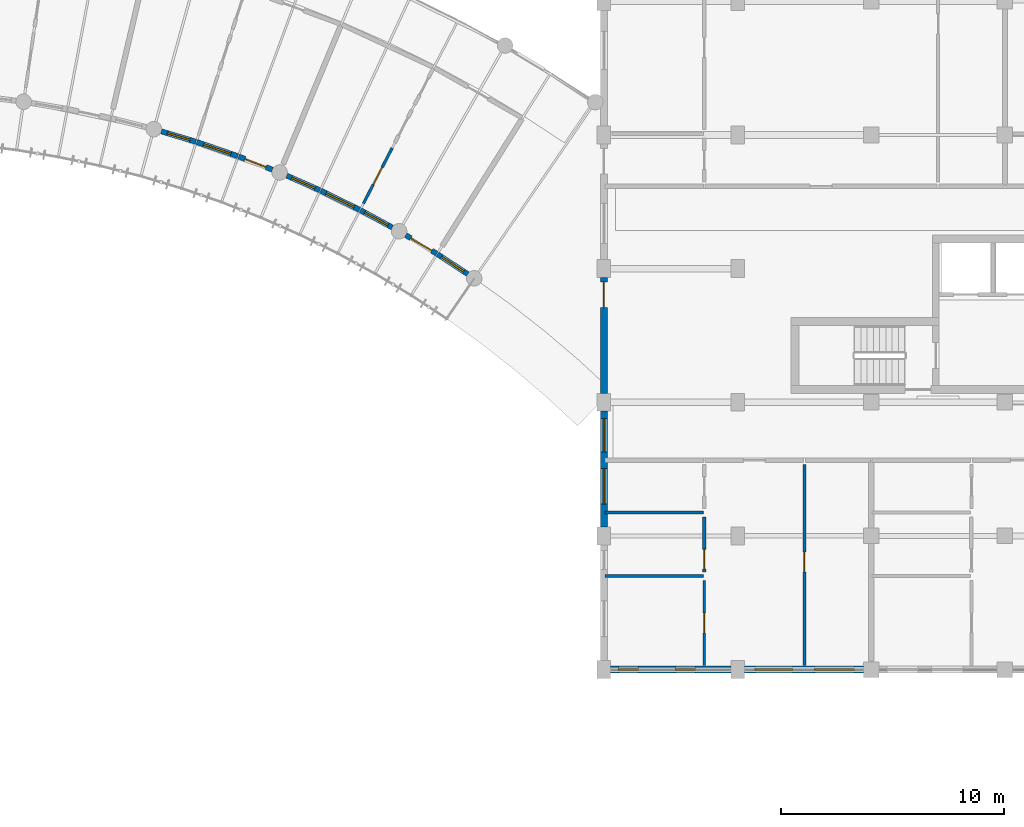
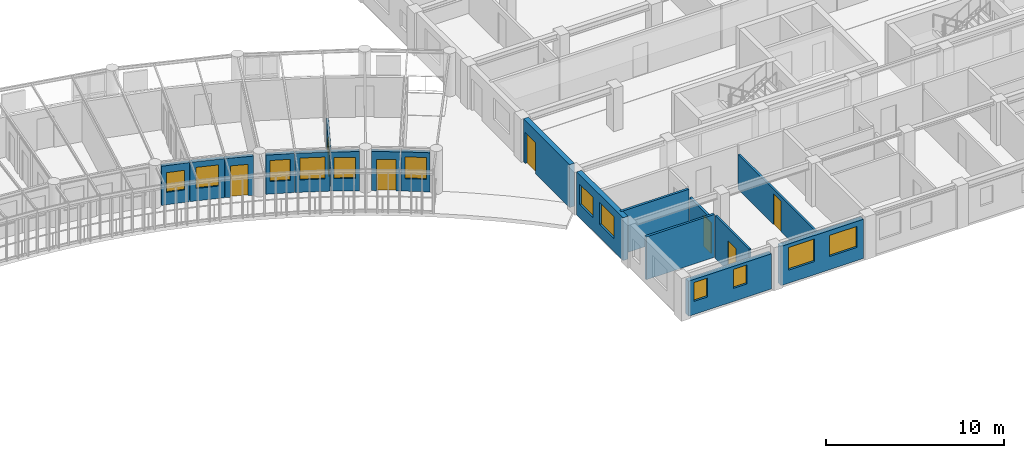
# One storey, part 110 of 137: 18 walls, 12 windows, 7 doors, 19 openings.
"""IFC4 building model written with IfcOpenShell, lengths in metres."""

from ifc_helpers import new_model, si_unit, direction, frame, frame_2d, origin, place, context, subcontext, project, spatial, rectangle, extrude, material, layer, layer_set, type_object, element, fill, save


model = new_model("IFC4")

# Units and contexts
model_context = context("Model", 3, precision=1e-05, world=origin(), true_north=direction((0.0, 1.0)))
body_context = subcontext(model_context, "Body", "Model", "MODEL_VIEW")
ifc_project = project(units=[si_unit("LENGTHUNIT", "METRE"), si_unit("AREAUNIT", "SQUARE_METRE"), si_unit("VOLUMEUNIT", "CUBIC_METRE"), si_unit("PLANEANGLEUNIT", "RADIAN"), si_unit("MASSUNIT", "GRAM", prefix="KILO"), si_unit("POWERUNIT", "WATT"), si_unit("THERMODYNAMICTEMPERATUREUNIT", "KELVIN")], contexts=[model_context])

# Site, building, storey
site_placement = place(None, origin())
site = spatial("IfcSite", under=ifc_project, at=site_placement, CompositionType="ELEMENT")
building_placement = place(site_placement, origin())
building = spatial("IfcBuilding", under=site, at=building_placement, Name="Ruvembo Vaulted Housing Court", CompositionType="ELEMENT")
storey_placement = place(building_placement, frame((0.0, 0.0, 4.5)))
storey = spatial("IfcBuildingStorey", under=building, at=storey_placement, Name="L01", CompositionType="ELEMENT", Elevation=4.5)

# Wall, opening, window
ifc_material_1 = material(Name="Rendered Masonry 235", Category="masonry")
ifc_layer_1 = layer(ifc_material_1, 0.235107421875, Name="Rendered Masonry 235")
ifc_layer_set_1 = layer_set([ifc_layer_1], Name="Rendered Masonry 235")
wall_type_1 = type_object("IfcWallType", Name="WL-EXT-235", PredefinedType="STANDARD", material=ifc_layer_set_1)
wall_1_placement = place(storey_placement, frame((130.1298828125, 96.1630859375, 0.0), z_axis=(0.0, 0.0, 1.0), x_axis=(0.958078548486, -0.286505662999, 0.0)))
wall_1 = element("IfcWall", 1, at=wall_1_placement, inside=storey, type_object=wall_type_1, Name="Scoop SC3 L01 Concave Balcony Wall 21", PredefinedType="STANDARD", context=body_context, shape_type="SweptSolid", body=[
    extrude(rectangle(XDim=1.62255859375, YDim=0.235107421875, at=frame_2d((0.811279296875, 0.0))), origin(), (0.0, 0.0, 1.0), 2.68408203125),
])
opening_1_placement = place(wall_1_placement, frame((0.2861328125, 0.0, 0.85009765625)))
opening_1 = element("IfcOpeningElement", 2, at=opening_1_placement, cuts=wall_1, Name="Opening W09", PredefinedType="OPENING", context=body_context, shape_type="SweptSolid", body=[
    extrude(rectangle(XDim=1.050048828125, YDim=1.35009765625, at=frame_2d((0.52490234375, 0.675048828125))), frame((0.0, 0.12744140625, 0.0), z_axis=(0.0, -1.0, 0.0), x_axis=(1.0, 0.0, 0.0)), (0.0, 0.0, 1.0), 0.255126953125),
])
ifc_material_2 = material(Name="Double Solar-Control Glazing in Aluminium Frame", Category="aluminium")
window_type_1 = type_object("IfcWindowType", Name="WIN-1050x1350", PartitioningType="SINGLE_PANEL", PredefinedType="WINDOW", material=ifc_material_2)
window_1_placement = place(opening_1_placement, origin())
window_1 = element("IfcWindow", 3, at=window_1_placement, inside=storey, type_object=window_type_1, Name="Scoop SC3 L01 Concave Window 21", OverallHeight=1.35009765625, OverallWidth=1.050048828125, PartitioningType="SINGLE_PANEL", PredefinedType="WINDOW", context=body_context, shape_type="SweptSolid", body=[
    extrude(rectangle(XDim=1.050048828125, YDim=1.35009765625, at=frame_2d((0.52490234375, 0.675048828125))), frame((0.0, 0.030029296875, 0.0), z_axis=(0.0, -1.0, 0.0), x_axis=(1.0, 0.0, 0.0)), (0.0, 0.0, 1.0), 0.06005859375),
])
fill(opening_1, window_1)

wall_2_placement = place(storey_placement, frame((131.722412109375, 95.68603515625, 0.0), z_axis=(0.0, 0.0, 1.0), x_axis=(0.945368994877, -0.326002244662, 0.0)))
wall_2 = element("IfcWall", 4, at=wall_2_placement, inside=storey, type_object=wall_type_1, Name="Scoop SC3 L01 Concave Balcony Wall 22", PredefinedType="STANDARD", context=body_context, shape_type="SweptSolid", body=[
    extrude(rectangle(XDim=1.952392578125, YDim=0.235107421875, at=frame_2d((0.97607421875, 0.0))), origin(), (0.0, 0.0, 1.0), 2.68408203125),
])
opening_2_placement = place(wall_2_placement, frame((0.326171875, 0.0, 0.85009765625)))
opening_2 = element("IfcOpeningElement", 5, at=opening_2_placement, cuts=wall_2, Name="Opening W15", PredefinedType="OPENING", context=body_context, shape_type="SweptSolid", body=[
    extrude(rectangle(XDim=1.300048828125, YDim=1.449951171875, at=frame_2d((0.64990234375, 0.72509765625))), frame((0.0, 0.12744140625, 0.0), z_axis=(0.0, -1.0, 0.0), x_axis=(1.0, 0.0, 0.0)), (0.0, 0.0, 1.0), 0.255126953125),
])
window_type_2 = type_object("IfcWindowType", Name="WIN-1300x1450", PartitioningType="SINGLE_PANEL", PredefinedType="WINDOW", material=ifc_material_2)
window_2_placement = place(opening_2_placement, origin())
window_2 = element("IfcWindow", 6, at=window_2_placement, inside=storey, type_object=window_type_2, Name="Scoop SC3 L01 Concave Window 22", OverallHeight=1.449951171875, OverallWidth=1.300048828125, PartitioningType="SINGLE_PANEL", PredefinedType="WINDOW", context=body_context, shape_type="SweptSolid", body=[
    extrude(rectangle(XDim=1.300048828125, YDim=1.449951171875, at=frame_2d((0.64990234375, 0.72509765625))), frame((0.0, 0.030029296875, 0.0), z_axis=(0.0, -1.0, 0.0), x_axis=(1.0, 0.0, 0.0)), (0.0, 0.0, 1.0), 0.06005859375),
])
fill(opening_2, window_2)

# Wall, opening, door
wall_3_placement = place(storey_placement, frame((133.605712890625, 95.03564453125, 0.0), z_axis=(0.0, 0.0, 1.0), x_axis=(0.931038371221, -0.364921294684, 0.0)))
wall_3 = element("IfcWall", 7, at=wall_3_placement, inside=storey, type_object=wall_type_1, Name="Scoop SC3 L01 Concave Balcony Wall 23", PredefinedType="STANDARD", context=body_context, shape_type="SweptSolid", body=[
    extrude(rectangle(XDim=1.622314453125, YDim=0.235107421875, at=frame_2d((0.81103515625, 0.0))), origin(), (0.0, 0.0, 1.0), 2.68408203125),
])
opening_3_placement = place(wall_3_placement, frame((0.311279296875, 0.0, 0.0)))
opening_3 = element("IfcOpeningElement", 8, at=opening_3_placement, cuts=wall_3, Name="Opening BD1", PredefinedType="OPENING", context=body_context, shape_type="SweptSolid", body=[
    extrude(rectangle(XDim=1.0, YDim=2.14990234375, at=frame_2d((0.5, 1.074951171875))), frame((0.0, 0.12744140625, 0.0), z_axis=(0.0, -1.0, 0.0), x_axis=(1.0, 0.0, 0.0)), (0.0, 0.0, 1.0), 0.255126953125),
])
ifc_material_3 = material(Name="Thermally Broken Glazed Aluminium", Category="aluminium")
door_type_1 = type_object("IfcDoorType", Name="DR-BAL-1000x2150", OperationType="NOTDEFINED", PredefinedType="DOOR", material=ifc_material_3)
door_1_placement = place(opening_3_placement, frame((1.0, 0.0, 0.0), z_axis=(0.0, 0.0, 1.0), x_axis=(-1.0, 0.0, 0.0)))
door_1 = element("IfcDoor", 9, at=door_1_placement, inside=storey, type_object=door_type_1, Name="Scoop SC3 L01 Balcony Door 23", OperationType="SINGLE_SWING_RIGHT", OverallHeight=2.14990234375, OverallWidth=1.0, PredefinedType="DOOR", context=body_context, shape_type="SweptSolid", body=[
    extrude(rectangle(XDim=1.0, YDim=2.14990234375, at=frame_2d((0.5, 1.074951171875))), frame((0.0, 0.02490234375, 0.0), z_axis=(0.0, -1.0, 0.0), x_axis=(1.0, 0.0, 0.0)), (0.0, 0.0, 1.0), 0.050048828125),
])
fill(opening_3, door_1)

# Wall, opening, window
wall_4_placement = place(storey_placement, frame((135.76220703125, 94.1748046875, 0.0), z_axis=(0.0, 0.0, 1.0), x_axis=(0.915073009016, -0.403288219727, 0.0)))
wall_4 = element("IfcWall", 10, at=wall_4_placement, inside=storey, type_object=wall_type_1, Name="Scoop SC3 L01 Concave Balcony Wall 24", PredefinedType="STANDARD", context=body_context, shape_type="SweptSolid", body=[
    extrude(rectangle(XDim=1.622314453125, YDim=0.235107421875, at=frame_2d((0.81103515625, 0.0))), origin(), (0.0, 0.0, 1.0), 2.68408203125),
])
opening_4_placement = place(wall_4_placement, frame((0.236083984375, 0.0, 0.85009765625)))
opening_4 = element("IfcOpeningElement", 11, at=opening_4_placement, cuts=wall_4, Name="Opening W11", PredefinedType="OPENING", context=body_context, shape_type="SweptSolid", body=[
    extrude(rectangle(XDim=1.14990234375, YDim=1.449951171875, at=frame_2d((0.574951171875, 0.72509765625))), frame((0.0, 0.12744140625, 0.0), z_axis=(0.0, -1.0, 0.0), x_axis=(1.0, 0.0, 0.0)), (0.0, 0.0, 1.0), 0.255126953125),
])
window_type_3 = type_object("IfcWindowType", Name="WIN-1150x1450", PartitioningType="SINGLE_PANEL", PredefinedType="WINDOW", material=ifc_material_2)
window_3_placement = place(opening_4_placement, origin())
window_3 = element("IfcWindow", 12, at=window_3_placement, inside=storey, type_object=window_type_3, Name="Scoop SC3 L01 Concave Window 24", OverallHeight=1.449951171875, OverallWidth=1.14990234375, PartitioningType="SINGLE_PANEL", PredefinedType="WINDOW", context=body_context, shape_type="SweptSolid", body=[
    extrude(rectangle(XDim=1.14990234375, YDim=1.449951171875, at=frame_2d((0.574951171875, 0.72509765625))), frame((0.0, 0.030029296875, 0.0), z_axis=(0.0, -1.0, 0.0), x_axis=(1.0, 0.0, 0.0)), (0.0, 0.0, 1.0), 0.06005859375),
])
fill(opening_4, window_3)

wall_5_placement = place(storey_placement, frame((137.283203125, 93.50341796875, 0.0), z_axis=(0.0, 0.0, 1.0), x_axis=(0.897531751182, -0.44094983345, 0.0)))
wall_5 = element("IfcWall", 13, at=wall_5_placement, inside=storey, type_object=wall_type_1, Name="Scoop SC3 L01 Concave Balcony Wall 25", PredefinedType="STANDARD", context=body_context, shape_type="SweptSolid", body=[
    extrude(rectangle(XDim=1.9521484375, YDim=0.235107421875, at=frame_2d((0.97607421875, 0.0))), origin(), (0.0, 0.0, 1.0), 2.68408203125),
])
opening_5_placement = place(wall_5_placement, frame((0.276123046875, 0.0, 0.85009765625)))
opening_5 = element("IfcOpeningElement", 14, at=opening_5_placement, cuts=wall_5, Name="Opening W17", PredefinedType="OPENING", context=body_context, shape_type="SweptSolid", body=[
    extrude(rectangle(XDim=1.39990234375, YDim=1.5, at=frame_2d((0.699951171875, 0.75))), frame((0.0, 0.12744140625, 0.0), z_axis=(0.0, -1.0, 0.0), x_axis=(1.0, 0.0, 0.0)), (0.0, 0.0, 1.0), 0.255126953125),
])
window_type_4 = type_object("IfcWindowType", Name="WIN-1400x1500", PartitioningType="SINGLE_PANEL", PredefinedType="WINDOW", material=ifc_material_2)
window_4_placement = place(opening_5_placement, origin())
window_4 = element("IfcWindow", 15, at=window_4_placement, inside=storey, type_object=window_type_4, Name="Scoop SC3 L01 Concave Window 25", OverallHeight=1.5, OverallWidth=1.39990234375, PartitioningType="SINGLE_PANEL", PredefinedType="WINDOW", context=body_context, shape_type="SweptSolid", body=[
    extrude(rectangle(XDim=1.39990234375, YDim=1.5, at=frame_2d((0.699951171875, 0.75))), frame((0.0, 0.030029296875, 0.0), z_axis=(0.0, -1.0, 0.0), x_axis=(1.0, 0.0, 0.0)), (0.0, 0.0, 1.0), 0.06005859375),
])
fill(opening_5, window_4)

wall_6_placement = place(storey_placement, frame((139.071044921875, 92.624267578125, 0.0), z_axis=(0.0, 0.0, 1.0), x_axis=(0.878452871629, -0.477828999044, 0.0)))
wall_6 = element("IfcWall", 16, at=wall_6_placement, inside=storey, type_object=wall_type_1, Name="Scoop SC3 L01 Concave Balcony Wall 26", PredefinedType="STANDARD", context=body_context, shape_type="SweptSolid", body=[
    extrude(rectangle(XDim=1.622314453125, YDim=0.235107421875, at=frame_2d((0.81103515625, 0.0))), origin(), (0.0, 0.0, 1.0), 2.68408203125),
])
opening_6_placement = place(wall_6_placement, frame((0.211181640625, 0.0, 0.85009765625)))
opening_6 = element("IfcOpeningElement", 17, at=opening_6_placement, cuts=wall_6, Name="Opening W13", PredefinedType="OPENING", context=body_context, shape_type="SweptSolid", body=[
    extrude(rectangle(XDim=1.199951171875, YDim=1.449951171875, at=frame_2d((0.60009765625, 0.72509765625))), frame((0.0, 0.12744140625, 0.0), z_axis=(0.0, -1.0, 0.0), x_axis=(1.0, 0.0, 0.0)), (0.0, 0.0, 1.0), 0.255126953125),
])
window_type_5 = type_object("IfcWindowType", Name="WIN-1200x1450", PartitioningType="SINGLE_PANEL", PredefinedType="WINDOW", material=ifc_material_2)
window_5_placement = place(opening_6_placement, origin())
window_5 = element("IfcWindow", 18, at=window_5_placement, inside=storey, type_object=window_type_5, Name="Scoop SC3 L01 Concave Window 26", OverallHeight=1.449951171875, OverallWidth=1.199951171875, PartitioningType="SINGLE_PANEL", PredefinedType="WINDOW", context=body_context, shape_type="SweptSolid", body=[
    extrude(rectangle(XDim=1.199951171875, YDim=1.449951171875, at=frame_2d((0.60009765625, 0.72509765625))), frame((0.0, 0.030029296875, 0.0), z_axis=(0.0, -1.0, 0.0), x_axis=(1.0, 0.0, 0.0)), (0.0, 0.0, 1.0), 0.06005859375),
])
fill(opening_6, window_5)

# Wall, opening, door
wall_7_placement = place(storey_placement, frame((141.10400390625, 91.502197265625, 0.0), z_axis=(0.0, 0.0, 1.0), x_axis=(0.85782472272, -0.513942355805, 0.0)))
wall_7 = element("IfcWall", 19, at=wall_7_placement, inside=storey, type_object=wall_type_1, Name="Scoop SC3 L01 Concave Balcony Wall 27", PredefinedType="STANDARD", context=body_context, shape_type="SweptSolid", body=[
    extrude(rectangle(XDim=1.622314453125, YDim=0.235107421875, at=frame_2d((0.81103515625, 0.0))), origin(), (0.0, 0.0, 1.0), 2.68408203125),
])
opening_7_placement = place(wall_7_placement, frame((0.26123046875, 0.0, 0.0)))
opening_7 = element("IfcOpeningElement", 20, at=opening_7_placement, cuts=wall_7, Name="Opening BD3", PredefinedType="OPENING", context=body_context, shape_type="SweptSolid", body=[
    extrude(rectangle(XDim=1.10009765625, YDim=2.14990234375, at=frame_2d((0.550048828125, 1.074951171875))), frame((0.0, 0.12744140625, 0.0), z_axis=(0.0, -1.0, 0.0), x_axis=(1.0, 0.0, 0.0)), (0.0, 0.0, 1.0), 0.255126953125),
])
door_type_2 = type_object("IfcDoorType", Name="DR-BAL-1100x2150", OperationType="NOTDEFINED", PredefinedType="DOOR", material=ifc_material_3)
door_2_placement = place(opening_7_placement, frame((1.10009765625, 0.0, 0.0), z_axis=(0.0, 0.0, 1.0), x_axis=(-1.0, 0.0, 0.0)))
door_2 = element("IfcDoor", 21, at=door_2_placement, inside=storey, type_object=door_type_2, Name="Scoop SC3 L01 Balcony Door 27", OperationType="SINGLE_SWING_LEFT", OverallHeight=2.14990234375, OverallWidth=1.10009765625, PredefinedType="DOOR", context=body_context, shape_type="SweptSolid", body=[
    extrude(rectangle(XDim=1.10009765625, YDim=2.14990234375, at=frame_2d((0.550048828125, 1.074951171875))), frame((0.0, 0.02490234375, 0.0), z_axis=(0.0, -1.0, 0.0), x_axis=(1.0, 0.0, 0.0)), (0.0, 0.0, 1.0), 0.050048828125),
])
fill(opening_7, door_2)

# Wall, opening, window
wall_8_placement = place(storey_placement, frame((142.529541015625, 90.647216796875, 0.0), z_axis=(0.0, 0.0, 1.0), x_axis=(0.835873156341, -0.548922641644, 0.0)))
wall_8 = element("IfcWall", 22, at=wall_8_placement, inside=storey, type_object=wall_type_1, Name="Scoop SC3 L01 Concave Balcony Wall 28", PredefinedType="STANDARD", context=body_context, shape_type="SweptSolid", body=[
    extrude(rectangle(XDim=1.62255859375, YDim=0.235107421875, at=frame_2d((0.811279296875, 0.0))), origin(), (0.0, 0.0, 1.0), 2.68408203125),
])
opening_8_placement = place(wall_8_placement, frame((0.211181640625, 0.0, 0.85009765625)))
opening_8 = element("IfcOpeningElement", 23, at=opening_8_placement, cuts=wall_8, Name="Opening W14", PredefinedType="OPENING", context=body_context, shape_type="SweptSolid", body=[
    extrude(rectangle(XDim=1.199951171875, YDim=1.5, at=frame_2d((0.60009765625, 0.75))), frame((0.0, 0.12744140625, 0.0), z_axis=(0.0, -1.0, 0.0), x_axis=(1.0, 0.0, 0.0)), (0.0, 0.0, 1.0), 0.255126953125),
])
window_type_6 = type_object("IfcWindowType", Name="WIN-1200x1500", PartitioningType="SINGLE_PANEL", PredefinedType="WINDOW", material=ifc_material_2)
window_6_placement = place(opening_8_placement, origin())
window_6 = element("IfcWindow", 24, at=window_6_placement, inside=storey, type_object=window_type_6, Name="Scoop SC3 L01 Concave Window 28", OverallHeight=1.5, OverallWidth=1.199951171875, PartitioningType="SINGLE_PANEL", PredefinedType="WINDOW", context=body_context, shape_type="SweptSolid", body=[
    extrude(rectangle(XDim=1.199951171875, YDim=1.5, at=frame_2d((0.60009765625, 0.75))), frame((0.0, 0.030029296875, 0.0), z_axis=(0.0, -1.0, 0.0), x_axis=(1.0, 0.0, 0.0)), (0.0, 0.0, 1.0), 0.06005859375),
])
fill(opening_8, window_6)

# Wall, openings, windows
ifc_material_4 = material(Name="Rendered Masonry 320", Category="masonry")
ifc_layer_2 = layer(ifc_material_4, 0.320068359375, Name="Rendered Masonry 320")
ifc_layer_set_2 = layer_set([ifc_layer_2], Name="Rendered Masonry 320")
wall_type_2 = type_object("IfcWallType", Name="WL-EXT-320", PredefinedType="STANDARD", material=ifc_layer_set_2)
wall_9_placement = place(storey_placement, frame((150.300048828125, 72.0, 0.0), z_axis=(0.0, 0.0, 1.0), x_axis=(1.0, 0.0, 0.0)))
wall_9 = element("IfcWall", 25, at=wall_9_placement, inside=storey, type_object=wall_type_2, Name="Block D L01 Exterior Wall COURTYARD #1", PredefinedType="STANDARD", context=body_context, shape_type="SweptSolid", body=[
    extrude(rectangle(XDim=5.39990234375, YDim=0.320068359375, at=frame_2d((2.699951171875, 0.0))), origin(), (0.0, 0.0, 1.0), 2.407958984375),
])
opening_9_placement = place(wall_9_placement, frame((0.35009765625, 0.0, 0.89990234375)))
opening_9 = element("IfcOpeningElement", 26, at=opening_9_placement, cuts=wall_9, Name="Opening W04", PredefinedType="OPENING", context=body_context, shape_type="SweptSolid", body=[
    extrude(rectangle(XDim=0.89990234375, YDim=1.300048828125, at=frame_2d((0.449951171875, 0.64990234375))), frame((0.0, 0.169921875, 0.0), z_axis=(0.0, -1.0, 0.0), x_axis=(1.0, 0.0, 0.0)), (0.0, 0.0, 1.0), 0.340087890625),
])
opening_10_placement = place(wall_9_placement, frame((2.909912109375, 0.0, 0.89990234375)))
opening_10 = element("IfcOpeningElement", 27, at=opening_10_placement, cuts=wall_9, Name="Opening W04", PredefinedType="OPENING", context=body_context, shape_type="SweptSolid", body=[
    extrude(rectangle(XDim=0.89990234375, YDim=1.300048828125, at=frame_2d((0.449951171875, 0.64990234375))), frame((0.0, 0.169921875, 0.0), z_axis=(0.0, -1.0, 0.0), x_axis=(1.0, 0.0, 0.0)), (0.0, 0.0, 1.0), 0.340087890625),
])
window_type_7 = type_object("IfcWindowType", Name="WIN-0900x1300", PartitioningType="SINGLE_PANEL", PredefinedType="WINDOW", material=ifc_material_2)
window_7_placement = place(opening_9_placement, origin())
window_7 = element("IfcWindow", 28, at=window_7_placement, inside=storey, type_object=window_type_7, Name="Block D L01 Window #1487", OverallHeight=1.300048828125, OverallWidth=0.89990234375, PartitioningType="SINGLE_PANEL", PredefinedType="WINDOW", context=body_context, shape_type="SweptSolid", body=[
    extrude(rectangle(XDim=0.89990234375, YDim=1.300048828125, at=frame_2d((0.449951171875, 0.64990234375))), frame((0.0, 0.030029296875, 0.0), z_axis=(0.0, -1.0, 0.0), x_axis=(1.0, 0.0, 0.0)), (0.0, 0.0, 1.0), 0.06005859375),
])
fill(opening_9, window_7)
window_8_placement = place(opening_10_placement, origin())
window_8 = element("IfcWindow", 29, at=window_8_placement, inside=storey, type_object=window_type_7, Name="Block D L01 Window #1488", OverallHeight=1.300048828125, OverallWidth=0.89990234375, PartitioningType="SINGLE_PANEL", PredefinedType="WINDOW", context=body_context, shape_type="SweptSolid", body=[
    extrude(rectangle(XDim=0.89990234375, YDim=1.300048828125, at=frame_2d((0.449951171875, 0.64990234375))), frame((0.0, 0.030029296875, 0.0), z_axis=(0.0, -1.0, 0.0), x_axis=(1.0, 0.0, 0.0)), (0.0, 0.0, 1.0), 0.06005859375),
])
fill(opening_10, window_8)

wall_10_placement = place(storey_placement, frame((156.300048828125, 72.0, 0.0), z_axis=(0.0, 0.0, 1.0), x_axis=(1.0, 0.0, 0.0)))
wall_10 = element("IfcWall", 30, at=wall_10_placement, inside=storey, type_object=wall_type_2, Name="Block D L01 Exterior Wall COURTYARD #2", PredefinedType="STANDARD", context=body_context, shape_type="SweptSolid", body=[
    extrude(rectangle(XDim=5.349853515625, YDim=0.320068359375, at=frame_2d((2.6748046875, 0.0))), origin(), (0.0, 0.0, 1.0), 2.68798828125),
])
opening_11_placement = place(wall_10_placement, frame((0.47998046875, 0.0, 0.89990234375)))
opening_11 = element("IfcOpeningElement", 31, at=opening_11_placement, cuts=wall_10, Name="Opening W21", PredefinedType="OPENING", context=body_context, shape_type="SweptSolid", body=[
    extrude(rectangle(XDim=1.699951171875, YDim=1.550048828125, at=frame_2d((0.85009765625, 0.77490234375))), frame((0.0, 0.169921875, 0.0), z_axis=(0.0, -1.0, 0.0), x_axis=(1.0, 0.0, 0.0)), (0.0, 0.0, 1.0), 0.340087890625),
])
opening_12_placement = place(wall_10_placement, frame((3.14501953125, 0.0, 0.89990234375)))
opening_12 = element("IfcOpeningElement", 32, at=opening_12_placement, cuts=wall_10, Name="Opening W22", PredefinedType="OPENING", context=body_context, shape_type="SweptSolid", body=[
    extrude(rectangle(XDim=1.800048828125, YDim=1.449951171875, at=frame_2d((0.89990234375, 0.72509765625))), frame((0.0, 0.169921875, 0.0), z_axis=(0.0, -1.0, 0.0), x_axis=(1.0, 0.0, 0.0)), (0.0, 0.0, 1.0), 0.340087890625),
])
window_type_8 = type_object("IfcWindowType", Name="WIN-1700x1550", PartitioningType="SINGLE_PANEL", PredefinedType="WINDOW", material=ifc_material_2)
window_9_placement = place(opening_11_placement, origin())
window_9 = element("IfcWindow", 33, at=window_9_placement, inside=storey, type_object=window_type_8, Name="Block D L01 Window #1489", OverallHeight=1.550048828125, OverallWidth=1.699951171875, PartitioningType="SINGLE_PANEL", PredefinedType="WINDOW", context=body_context, shape_type="SweptSolid", body=[
    extrude(rectangle(XDim=1.699951171875, YDim=1.550048828125, at=frame_2d((0.85009765625, 0.77490234375))), frame((0.0, 0.030029296875, 0.0), z_axis=(0.0, -1.0, 0.0), x_axis=(1.0, 0.0, 0.0)), (0.0, 0.0, 1.0), 0.06005859375),
])
fill(opening_11, window_9)
window_type_9 = type_object("IfcWindowType", Name="WIN-1800x1450", PartitioningType="SINGLE_PANEL", PredefinedType="WINDOW", material=ifc_material_2)
window_10_placement = place(opening_12_placement, origin())
window_10 = element("IfcWindow", 34, at=window_10_placement, inside=storey, type_object=window_type_9, Name="Block D L01 Window #1490", OverallHeight=1.449951171875, OverallWidth=1.800048828125, PartitioningType="SINGLE_PANEL", PredefinedType="WINDOW", context=body_context, shape_type="SweptSolid", body=[
    extrude(rectangle(XDim=1.800048828125, YDim=1.449951171875, at=frame_2d((0.89990234375, 0.72509765625))), frame((0.0, 0.030029296875, 0.0), z_axis=(0.0, -1.0, 0.0), x_axis=(1.0, 0.0, 0.0)), (0.0, 0.0, 1.0), 0.06005859375),
])
fill(opening_12, window_10)

# Wall, opening, door
wall_11_placement = place(storey_placement, frame((150.0, 89.60009765625, 0.0), z_axis=(0.0, 0.0, 1.0), x_axis=(0.0, -1.0, 0.0)))
wall_11 = element("IfcWall", 35, at=wall_11_placement, inside=storey, type_object=wall_type_2, Name="Block D L01 Exterior Wall WEST #4", PredefinedType="STANDARD", context=body_context, shape_type="SweptSolid", body=[
    extrude(rectangle(XDim=5.2001953125, YDim=0.320068359375, at=frame_2d((2.60009765625, 0.0))), origin(), (0.0, 0.0, 1.0), 2.945068359375),
])
opening_13_placement = place(wall_11_placement, frame((0.199951171875, 0.0, 0.0)))
opening_13 = element("IfcOpeningElement", 36, at=opening_13_placement, cuts=wall_11, Name="Opening GD1", PredefinedType="OPENING", context=body_context, shape_type="SweptSolid", body=[
    extrude(rectangle(XDim=1.14990234375, YDim=2.14990234375, at=frame_2d((0.574951171875, 1.074951171875))), frame((0.0, 0.169921875, 0.0), z_axis=(0.0, -1.0, 0.0), x_axis=(1.0, 0.0, 0.0)), (0.0, 0.0, 1.0), 0.340087890625),
])
door_type_3 = type_object("IfcDoorType", Name="DR-GAL-1150x2150", OperationType="NOTDEFINED", PredefinedType="DOOR", material=ifc_material_3)
door_3_placement = place(opening_13_placement, frame((1.14990234375, 0.0, 0.0), z_axis=(0.0, 0.0, 1.0), x_axis=(-1.0, 0.0, 0.0)))
door_3 = element("IfcDoor", 37, at=door_3_placement, inside=storey, type_object=door_type_3, Name="Block D L01 Terrace or Gallery Door DR-TER-D-L01-069", OperationType="SINGLE_SWING_RIGHT", OverallHeight=2.14990234375, OverallWidth=1.14990234375, PredefinedType="DOOR", context=body_context, shape_type="SweptSolid", body=[
    extrude(rectangle(XDim=1.14990234375, YDim=2.14990234375, at=frame_2d((0.574951171875, 1.074951171875))), frame((0.0, 0.02490234375, 0.0), z_axis=(0.0, -1.0, 0.0), x_axis=(1.0, 0.0, 0.0)), (0.0, 0.0, 1.0), 0.050048828125),
])
fill(opening_13, door_3)

# Wall, openings, windows
wall_12_placement = place(storey_placement, frame((150.0, 83.60009765625, 0.0), z_axis=(0.0, 0.0, 1.0), x_axis=(0.0, -1.0, 0.0)))
wall_12 = element("IfcWall", 38, at=wall_12_placement, inside=storey, type_object=wall_type_2, Name="Block D L01 Exterior Wall WEST #5", PredefinedType="STANDARD", context=body_context, shape_type="SweptSolid", body=[
    extrude(rectangle(XDim=5.2001953125, YDim=0.320068359375, at=frame_2d((2.60009765625, 0.0))), origin(), (0.0, 0.0, 1.0), 2.945068359375),
])
opening_14_placement = place(wall_12_placement, frame((0.330078125, 0.0, 0.89990234375)))
opening_14 = element("IfcOpeningElement", 39, at=opening_14_placement, cuts=wall_12, Name="Opening W18", PredefinedType="OPENING", context=body_context, shape_type="SweptSolid", body=[
    extrude(rectangle(XDim=1.5, YDim=1.39990234375, at=frame_2d((0.75, 0.699951171875))), frame((0.0, 0.169921875, 0.0), z_axis=(0.0, -1.0, 0.0), x_axis=(1.0, 0.0, 0.0)), (0.0, 0.0, 1.0), 0.340087890625),
])
opening_15_placement = place(wall_12_placement, frame((2.574951171875, 0.0, 0.89990234375)))
opening_15 = element("IfcOpeningElement", 40, at=opening_15_placement, cuts=wall_12, Name="Opening W20", PredefinedType="OPENING", context=body_context, shape_type="SweptSolid", body=[
    extrude(rectangle(XDim=1.60009765625, YDim=1.5, at=frame_2d((0.800048828125, 0.75))), frame((0.0, 0.169921875, 0.0), z_axis=(0.0, -1.0, 0.0), x_axis=(1.0, 0.0, 0.0)), (0.0, 0.0, 1.0), 0.340087890625),
])
window_type_10 = type_object("IfcWindowType", Name="WIN-1500x1400", PartitioningType="SINGLE_PANEL", PredefinedType="WINDOW", material=ifc_material_2)
window_11_placement = place(opening_14_placement, origin())
window_11 = element("IfcWindow", 41, at=window_11_placement, inside=storey, type_object=window_type_10, Name="Block D L01 Window #1527", OverallHeight=1.39990234375, OverallWidth=1.5, PartitioningType="SINGLE_PANEL", PredefinedType="WINDOW", context=body_context, shape_type="SweptSolid", body=[
    extrude(rectangle(XDim=1.5, YDim=1.39990234375, at=frame_2d((0.75, 0.699951171875))), frame((0.0, 0.030029296875, 0.0), z_axis=(0.0, -1.0, 0.0), x_axis=(1.0, 0.0, 0.0)), (0.0, 0.0, 1.0), 0.06005859375),
])
fill(opening_14, window_11)
window_type_11 = type_object("IfcWindowType", Name="WIN-1600x1500", PartitioningType="SINGLE_PANEL", PredefinedType="WINDOW", material=ifc_material_2)
window_12_placement = place(opening_15_placement, origin())
window_12 = element("IfcWindow", 42, at=window_12_placement, inside=storey, type_object=window_type_11, Name="Block D L01 Window #1528", OverallHeight=1.5, OverallWidth=1.60009765625, PartitioningType="SINGLE_PANEL", PredefinedType="WINDOW", context=body_context, shape_type="SweptSolid", body=[
    extrude(rectangle(XDim=1.60009765625, YDim=1.5, at=frame_2d((0.800048828125, 0.75))), frame((0.0, 0.030029296875, 0.0), z_axis=(0.0, -1.0, 0.0), x_axis=(1.0, 0.0, 0.0)), (0.0, 0.0, 1.0), 0.06005859375),
])
fill(opening_15, window_12)

# Wall, opening, door
ifc_material_5 = material(Name="Plasterboard Stud Partition 125", Category="gypsum")
ifc_layer_3 = layer(ifc_material_5, 0.125, Name="Plasterboard Stud Partition 125")
ifc_layer_set_3 = layer_set([ifc_layer_3], Name="Plasterboard Stud Partition 125")
wall_type_3 = type_object("IfcWallType", Name="WL-PART-125", PredefinedType="PARTITIONING", material=ifc_layer_set_3)
wall_13_placement = place(storey_placement, frame((154.5, 72.18994140625, 0.0), z_axis=(0.0, 0.0, 1.0), x_axis=(0.0, 1.0, 0.0)))
wall_13 = element("IfcWall", 43, at=wall_13_placement, inside=storey, type_object=wall_type_3, Name="L01 Flat D-L01-S1 Bedroom 1 WL-INT-L01-00325", PredefinedType="PARTITIONING", context=body_context, shape_type="SweptSolid", body=[
    extrude(rectangle(XDim=3.820068359375, YDim=0.125, at=frame_2d((1.91015625, 0.0))), origin(), (0.0, 0.0, 1.0), 2.945068359375),
])
opening_16_placement = place(wall_13_placement, frame((1.4599609375, 0.0, 0.0)))
opening_16 = element("IfcOpeningElement", 44, at=opening_16_placement, cuts=wall_13, Name="Opening ID1", PredefinedType="OPENING", context=body_context, shape_type="SweptSolid", body=[
    extrude(rectangle(XDim=0.89990234375, YDim=2.10009765625, at=frame_2d((0.449951171875, 1.050048828125))), frame((0.0, 0.072509765625, 0.0), z_axis=(0.0, -1.0, 0.0), x_axis=(1.0, 0.0, 0.0)), (0.0, 0.0, 1.0), 0.14501953125),
])
ifc_material_6 = material(Name="FSC Hardwood and Engineered Timber", Category="wood")
door_type_4 = type_object("IfcDoorType", Name="DR-ROOM-0900x2100", OperationType="NOTDEFINED", PredefinedType="DOOR", material=ifc_material_6)
door_4_placement = place(opening_16_placement, origin())
door_4 = element("IfcDoor", 45, at=door_4_placement, inside=storey, type_object=door_type_4, Name="L01 Flat D-L01-S1 Bedroom 1 Door DR-INT-L01-00164", OperationType="SINGLE_SWING_RIGHT", OverallHeight=2.10009765625, OverallWidth=0.89990234375, PredefinedType="DOOR", context=body_context, shape_type="SweptSolid", body=[
    extrude(rectangle(XDim=0.89990234375, YDim=2.10009765625, at=frame_2d((0.449951171875, 1.050048828125))), frame((0.0, 0.02490234375, 0.0), z_axis=(0.0, -1.0, 0.0), x_axis=(1.0, 0.0, 0.0)), (0.0, 0.0, 1.0), 0.050048828125),
])
fill(opening_16, door_4)

wall_14_placement = place(storey_placement, frame((159.0, 72.18994140625, 0.0), z_axis=(0.0, 0.0, 1.0), x_axis=(0.0, 1.0, 0.0)))
wall_14 = element("IfcWall", 46, at=wall_14_placement, inside=storey, type_object=wall_type_3, Name="L01 Flat D-L01-S1 Bedroom 2 WL-INT-L01-00331", PredefinedType="PARTITIONING", context=body_context, shape_type="SweptSolid", body=[
    extrude(rectangle(XDim=9.02001953125, YDim=0.125, at=frame_2d((4.510009765625, 0.0))), origin(), (0.0, 0.0, 1.0), 2.407958984375),
])
opening_17_placement = place(wall_14_placement, frame((4.199951171875, 0.0, 0.0)))
opening_17 = element("IfcOpeningElement", 47, at=opening_17_placement, cuts=wall_14, Name="Opening ID3", PredefinedType="OPENING", context=body_context, shape_type="SweptSolid", body=[
    extrude(rectangle(XDim=0.8798828125, YDim=2.10009765625, at=frame_2d((0.43994140625, 1.050048828125))), frame((0.0, 0.072509765625, 0.0), z_axis=(0.0, -1.0, 0.0), x_axis=(1.0, 0.0, 0.0)), (0.0, 0.0, 1.0), 0.14501953125),
])
door_type_5 = type_object("IfcDoorType", Name="DR-ROOM-0880x2100", OperationType="NOTDEFINED", PredefinedType="DOOR", material=ifc_material_6)
door_5_placement = place(opening_17_placement, origin())
door_5 = element("IfcDoor", 48, at=door_5_placement, inside=storey, type_object=door_type_5, Name="L01 Flat D-L01-S1 Bedroom 2 Door DR-INT-L01-00167", OperationType="SINGLE_SWING_LEFT", OverallHeight=2.10009765625, OverallWidth=0.8798828125, PredefinedType="DOOR", context=body_context, shape_type="SweptSolid", body=[
    extrude(rectangle(XDim=0.8798828125, YDim=2.10009765625, at=frame_2d((0.43994140625, 1.050048828125))), frame((0.0, 0.02490234375, 0.0), z_axis=(0.0, -1.0, 0.0), x_axis=(1.0, 0.0, 0.0)), (0.0, 0.0, 1.0), 0.050048828125),
])
fill(opening_17, door_5)

wall_15_placement = place(storey_placement, frame((139.2041015625, 92.92529296875, 0.0), z_axis=(0.0, 0.0, 1.0), x_axis=(0.459449012792, 0.888204145816, 0.0)))
wall_15 = element("IfcWall", 49, at=wall_15_placement, inside=storey, type_object=wall_type_3, Name="L01 Suite SC3-L01-U7 Bedroom WL-INT-L01-00478", PredefinedType="PARTITIONING", context=body_context, shape_type="SweptSolid", body=[
    extrude(rectangle(XDim=2.7998046875, YDim=0.125, at=frame_2d((1.39990234375, 0.0))), origin(), (0.0, 0.0, 1.0), 2.761962890625),
])
opening_18_placement = place(wall_15_placement, frame((0.9599609375, 0.0, 0.0)))
opening_18 = element("IfcOpeningElement", 50, at=opening_18_placement, cuts=wall_15, Name="Opening ID3", PredefinedType="OPENING", context=body_context, shape_type="SweptSolid", body=[
    extrude(rectangle(XDim=0.8798828125, YDim=2.10009765625, at=frame_2d((0.43994140625, 1.050048828125))), frame((0.0, 0.072509765625, 0.0), z_axis=(0.0, -1.0, 0.0), x_axis=(1.0, 0.0, 0.0)), (0.0, 0.0, 1.0), 0.14501953125),
])
door_6_placement = place(opening_18_placement, origin())
door_6 = element("IfcDoor", 51, at=door_6_placement, inside=storey, type_object=door_type_5, Name="L01 Suite SC3-L01-U7 Bedroom Door DR-INT-L01-00261", OperationType="SINGLE_SWING_LEFT", OverallHeight=2.10009765625, OverallWidth=0.8798828125, PredefinedType="DOOR", context=body_context, shape_type="SweptSolid", body=[
    extrude(rectangle(XDim=0.8798828125, YDim=2.10009765625, at=frame_2d((0.43994140625, 1.050048828125))), frame((0.0, 0.02490234375, 0.0), z_axis=(0.0, -1.0, 0.0), x_axis=(1.0, 0.0, 0.0)), (0.0, 0.0, 1.0), 0.050048828125),
])
fill(opening_18, door_6)

# Walls
ifc_material_7 = material(Name="Moisture-Resistant Wet Partition 150", Category="gypsum")
ifc_layer_4 = layer(ifc_material_7, 0.14990234375, Name="Moisture-Resistant Wet Partition 150")
ifc_layer_set_4 = layer_set([ifc_layer_4], Name="Moisture-Resistant Wet Partition 150")
wall_type_4 = type_object("IfcWallType", Name="WL-PART-150", PredefinedType="PARTITIONING", material=ifc_layer_set_4)
for number, where, z_axis, x_axis, name in (
    (52, (150.0400390625, 76.199951171875, 0.0), (0.0, 0.0, 1.0), (1.0, 0.0, 0.0), "L01 Flat D-L01-S1 Wet Wall 1 WL-INT-L01-00328"),
    (53, (150.0400390625, 79.050048828125, 0.0), (0.0, 0.0, 1.0), (1.0, 0.0, 0.0), "L01 Flat D-L01-S1 Wet Wall 2 WL-INT-L01-00329"),
):
    element("IfcWall", number, at=place(storey_placement, frame(where, z_axis=z_axis, x_axis=x_axis)), inside=storey, type_object=wall_type_4, Name=name, PredefinedType="PARTITIONING", context=body_context, shape_type="SweptSolid", body=[
        extrude(rectangle(XDim=4.419921875, YDim=0.14990234375, at=frame_2d((2.2099609375, 0.0))), origin(), (0.0, 0.0, 1.0), 2.945068359375),
    ])

# Wall, opening, door
ifc_material_8 = material(Name="Acoustic Service Chase Wall 160", Category="gypsum")
ifc_layer_5 = layer(ifc_material_8, 0.159912109375, Name="Acoustic Service Chase Wall 160")
ifc_layer_set_5 = layer_set([ifc_layer_5], Name="Acoustic Service Chase Wall 160")
wall_type_5 = type_object("IfcWallType", Name="WL-PLUMB-160", PredefinedType="PLUMBINGWALL", material=ifc_layer_set_5)
wall_16_placement = place(storey_placement, frame((154.5, 76.389892578125, 0.0), z_axis=(0.0, 0.0, 1.0), x_axis=(0.0, 1.0, 0.0)))
wall_16 = element("IfcWall", 54, at=wall_16_placement, inside=storey, type_object=wall_type_5, Name="L01 Flat D-L01-S1 Kitchen WL-INT-L01-00326", PredefinedType="PLUMBINGWALL", context=body_context, shape_type="SweptSolid", body=[
    extrude(rectangle(XDim=2.47021484375, YDim=0.159912109375, at=frame_2d((1.235107421875, 0.0))), origin(), (0.0, 0.0, 1.0), 2.4580078125),
])
opening_19_placement = place(wall_16_placement, frame((0.1298828125, 0.0, 0.0)))
opening_19 = element("IfcOpeningElement", 55, at=opening_19_placement, cuts=wall_16, Name="Opening ID3", PredefinedType="OPENING", context=body_context, shape_type="SweptSolid", body=[
    extrude(rectangle(XDim=0.8798828125, YDim=2.10009765625, at=frame_2d((0.43994140625, 1.050048828125))), frame((0.0, 0.08984375, 0.0), z_axis=(0.0, -1.0, 0.0), x_axis=(1.0, 0.0, 0.0)), (0.0, 0.0, 1.0), 0.179931640625),
])
door_7_placement = place(opening_19_placement, origin())
door_7 = element("IfcDoor", 56, at=door_7_placement, inside=storey, type_object=door_type_5, Name="L01 Flat D-L01-S1 Kitchen Door DR-INT-L01-00165", OperationType="SINGLE_SWING_LEFT", OverallHeight=2.10009765625, OverallWidth=0.8798828125, PredefinedType="DOOR", context=body_context, shape_type="SweptSolid", body=[
    extrude(rectangle(XDim=0.8798828125, YDim=2.10009765625, at=frame_2d((0.43994140625, 1.050048828125))), frame((0.0, 0.02490234375, 0.0), z_axis=(0.0, -1.0, 0.0), x_axis=(1.0, 0.0, 0.0)), (0.0, 0.0, 1.0), 0.050048828125),
])
fill(opening_19, door_7)

save(model, "model.ifc")
